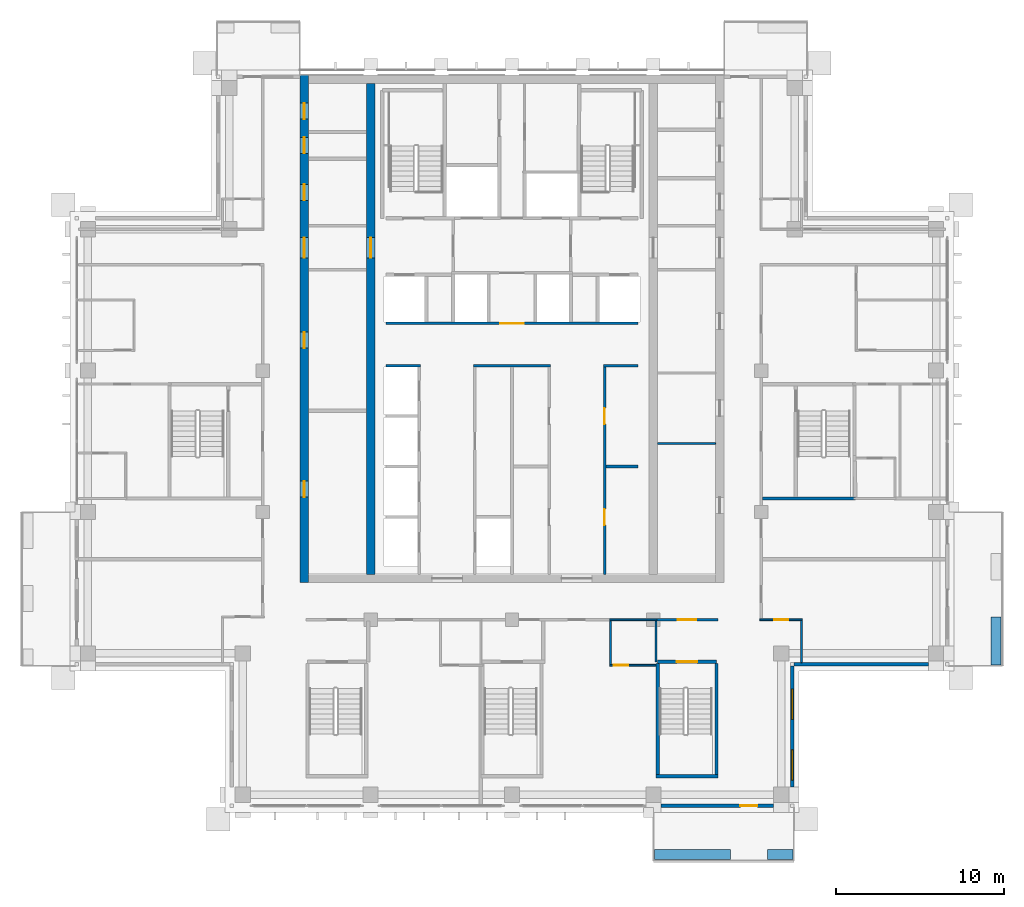
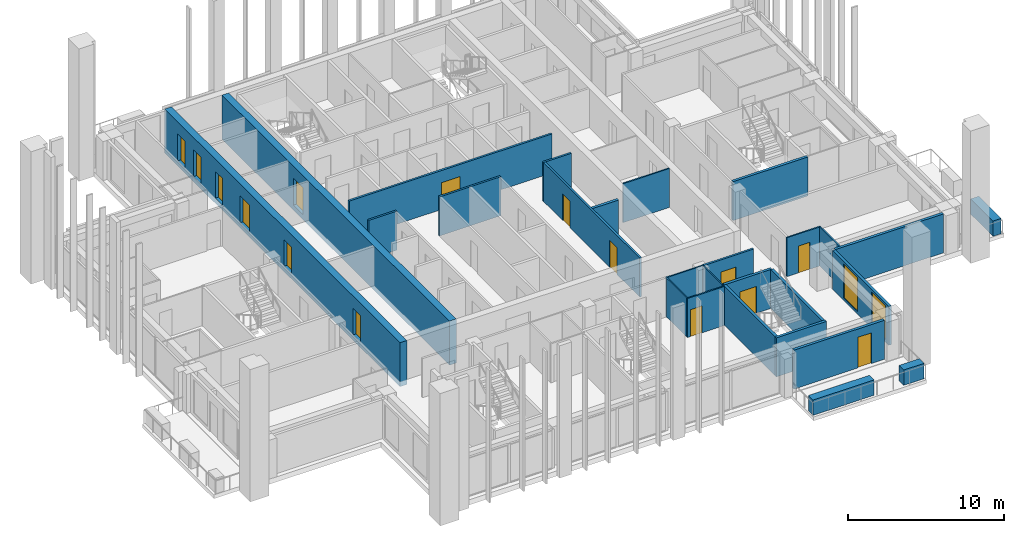
# One storey, part 11 of 20: 27 walls, 15 doors, 2 windows, 17 openings.
"""IFC4 building model written with IfcOpenShell, lengths in metres."""

from ifc_helpers import new_model, si_unit, direction, frame, frame_2d, origin, place, context, subcontext, project, spatial, rectangle, extrude, material, layer, layer_set, type_object, element, fill, save


model = new_model("IFC4")

# Units and contexts
model_context = context("Model", 3, precision=1e-05, world=origin(), true_north=direction((0.0, 1.0)))
body_context = subcontext(model_context, "Body", "Model", "MODEL_VIEW")
ifc_project = project(units=[si_unit("LENGTHUNIT", "METRE"), si_unit("AREAUNIT", "SQUARE_METRE"), si_unit("VOLUMEUNIT", "CUBIC_METRE"), si_unit("PLANEANGLEUNIT", "RADIAN"), si_unit("MASSUNIT", "GRAM", prefix="KILO")], contexts=[model_context])

# Site, building, storey
site_placement = place(None, origin())
site = spatial("IfcSite", under=ifc_project, at=site_placement, CompositionType="ELEMENT")
building_placement = place(site_placement, origin())
building = spatial("IfcBuilding", under=site, at=building_placement, Name="Vermilion Ogive Tower", CompositionType="ELEMENT")
storey_placement = place(building_placement, frame((0.0, 0.0, 223.449951171875)))
storey = spatial("IfcBuildingStorey", under=building, at=storey_placement, Name="L58", CompositionType="ELEMENT", Elevation=223.449951171875)

# Wall, openings, doors
ifc_material_1 = material(Name="Concrete B60", Category="concrete")
ifc_layer_1 = layer(ifc_material_1, 0.5)
ifc_layer_set_1 = layer_set([ifc_layer_1], Name="Core wall 500 B60")
wall_type_1 = type_object("IfcWallType", Name="Core wall 500 B60", PredefinedType="SHEAR", material=ifc_layer_set_1)
wall_1_placement = place(storey_placement, frame((-12.35009765625, -8.39990234375, -0.39990234375), z_axis=(0.0, 0.0, 1.0), x_axis=(0.0, 1.0, 0.0)))
wall_1 = element("IfcWall", 1, at=wall_1_placement, inside=storey, type_object=wall_type_1, Name="L58-CORE-W", PredefinedType="SHEAR", context=body_context, shape_type="SweptSolid", body=[
    extrude(rectangle(XDim=30.14990234375, YDim=0.5, at=frame_2d((15.074951171875, 0.0))), origin(), (0.0, 0.0, 1.0), 3.449951171875),
])
opening_1_placement = place(wall_1_placement, frame((5.0830078125, 0.0, 0.39990234375)))
opening_1 = element("IfcOpeningElement", 2, at=opening_1_placement, cuts=wall_1, Name="Opening DAD100", PredefinedType="OPENING", context=body_context, shape_type="SweptSolid", body=[
    extrude(rectangle(XDim=0.949951171875, YDim=2.10009765625, at=frame_2d((0.47509765625, 1.050048828125))), frame((0.0, 0.260009765625, 0.0), z_axis=(0.0, -1.0, 0.0), x_axis=(1.0, 0.0, 0.0)), (0.0, 0.0, 1.0), 0.52001953125),
])
opening_2_placement = place(wall_1_placement, frame((13.932861328125, 0.0, 0.39990234375)))
opening_2 = element("IfcOpeningElement", 3, at=opening_2_placement, cuts=wall_1, Name="Opening DAD101", PredefinedType="OPENING", context=body_context, shape_type="SweptSolid", body=[
    extrude(rectangle(XDim=0.949951171875, YDim=2.10009765625, at=frame_2d((0.47509765625, 1.050048828125))), frame((0.0, 0.260009765625, 0.0), z_axis=(0.0, -1.0, 0.0), x_axis=(1.0, 0.0, 0.0)), (0.0, 0.0, 1.0), 0.52001953125),
])
opening_3_placement = place(wall_1_placement, frame((22.718994140625, 0.0, 0.39990234375)))
opening_3 = element("IfcOpeningElement", 4, at=opening_3_placement, cuts=wall_1, Name="Opening DAD102", PredefinedType="OPENING", context=body_context, shape_type="SweptSolid", body=[
    extrude(rectangle(XDim=0.949951171875, YDim=2.10009765625, at=frame_2d((0.47509765625, 1.050048828125))), frame((0.0, 0.260009765625, 0.0), z_axis=(0.0, -1.0, 0.0), x_axis=(1.0, 0.0, 0.0)), (0.0, 0.0, 1.0), 0.52001953125),
])
opening_4_placement = place(wall_1_placement, frame((25.505615234375, 0.0, 0.39990234375)))
opening_4 = element("IfcOpeningElement", 5, at=opening_4_placement, cuts=wall_1, Name="Opening DAD103", PredefinedType="OPENING", context=body_context, shape_type="SweptSolid", body=[
    extrude(rectangle(XDim=0.949951171875, YDim=2.10009765625, at=frame_2d((0.47509765625, 1.050048828125))), frame((0.0, 0.260009765625, 0.0), z_axis=(0.0, -1.0, 0.0), x_axis=(1.0, 0.0, 0.0)), (0.0, 0.0, 1.0), 0.52001953125),
])
opening_5_placement = place(wall_1_placement, frame((27.53662109375, 0.0, 0.39990234375)))
opening_5 = element("IfcOpeningElement", 6, at=opening_5_placement, cuts=wall_1, Name="Opening DAD104", PredefinedType="OPENING", context=body_context, shape_type="SweptSolid", body=[
    extrude(rectangle(XDim=0.949951171875, YDim=2.10009765625, at=frame_2d((0.47509765625, 1.050048828125))), frame((0.0, 0.260009765625, 0.0), z_axis=(0.0, -1.0, 0.0), x_axis=(1.0, 0.0, 0.0)), (0.0, 0.0, 1.0), 0.52001953125),
])
opening_6_placement = place(wall_1_placement, frame((19.300048828125, 0.0, 0.39990234375)))
opening_6 = element("IfcOpeningElement", 7, at=opening_6_placement, cuts=wall_1, Name="Opening DAM024", PredefinedType="OPENING", context=body_context, shape_type="SweptSolid", body=[
    extrude(rectangle(XDim=1.199951171875, YDim=2.10009765625, at=frame_2d((0.60009765625, 1.050048828125))), frame((0.0, 0.260009765625, 0.0), z_axis=(0.0, -1.0, 0.0), x_axis=(1.0, 0.0, 0.0)), (0.0, 0.0, 1.0), 0.52001953125),
])
ifc_material_2 = material(Name="Timber door leaf", Category="wood")
door_type_1 = type_object("IfcDoorType", Name="Link door 1200 x 2100 FD60S", OperationType="SINGLE_SWING_LEFT", PredefinedType="DOOR", material=ifc_material_2)
door_1_placement = place(opening_6_placement, origin())
door_1 = element("IfcDoor", 8, at=door_1_placement, inside=storey, type_object=door_type_1, Name="L58-CKW-XL", OperationType="SINGLE_SWING_LEFT", OverallHeight=2.10009765625, OverallWidth=1.199951171875, PredefinedType="DOOR", context=body_context, shape_type="SweptSolid", body=[
    extrude(rectangle(XDim=1.199951171875, YDim=2.10009765625, at=frame_2d((0.60009765625, 1.050048828125))), frame((0.0, 0.02490234375, 0.0), z_axis=(0.0, -1.0, 0.0), x_axis=(1.0, 0.0, 0.0)), (0.0, 0.0, 1.0), 0.050048828125),
])
fill(opening_6, door_1)
ifc_material_3 = material(Name="Timber door leaf", Category="wood")
door_type_2 = type_object("IfcDoorType", Name="Service door 950 x 2100 FD60", OperationType="SINGLE_SWING_LEFT", PredefinedType="DOOR", material=ifc_material_3)
door_2_placement = place(opening_1_placement, origin())
door_2 = element("IfcDoor", 9, at=door_2_placement, inside=storey, type_object=door_type_2, Name="L58-CKW-XR0", OperationType="SINGLE_SWING_LEFT", OverallHeight=2.10009765625, OverallWidth=0.949951171875, PredefinedType="DOOR", context=body_context, shape_type="SweptSolid", body=[
    extrude(rectangle(XDim=0.949951171875, YDim=2.10009765625, at=frame_2d((0.47509765625, 1.050048828125))), frame((0.0, 0.02490234375, 0.0), z_axis=(0.0, -1.0, 0.0), x_axis=(1.0, 0.0, 0.0)), (0.0, 0.0, 1.0), 0.050048828125),
])
fill(opening_1, door_2)
door_3_placement = place(opening_2_placement, origin())
door_3 = element("IfcDoor", 10, at=door_3_placement, inside=storey, type_object=door_type_2, Name="L58-CKW-XR1", OperationType="SINGLE_SWING_LEFT", OverallHeight=2.10009765625, OverallWidth=0.949951171875, PredefinedType="DOOR", context=body_context, shape_type="SweptSolid", body=[
    extrude(rectangle(XDim=0.949951171875, YDim=2.10009765625, at=frame_2d((0.47509765625, 1.050048828125))), frame((0.0, 0.02490234375, 0.0), z_axis=(0.0, -1.0, 0.0), x_axis=(1.0, 0.0, 0.0)), (0.0, 0.0, 1.0), 0.050048828125),
])
fill(opening_2, door_3)
door_4_placement = place(opening_3_placement, origin())
door_4 = element("IfcDoor", 11, at=door_4_placement, inside=storey, type_object=door_type_2, Name="L58-CKW-XR2", OperationType="SINGLE_SWING_LEFT", OverallHeight=2.10009765625, OverallWidth=0.949951171875, PredefinedType="DOOR", context=body_context, shape_type="SweptSolid", body=[
    extrude(rectangle(XDim=0.949951171875, YDim=2.10009765625, at=frame_2d((0.47509765625, 1.050048828125))), frame((0.0, 0.02490234375, 0.0), z_axis=(0.0, -1.0, 0.0), x_axis=(1.0, 0.0, 0.0)), (0.0, 0.0, 1.0), 0.050048828125),
])
fill(opening_3, door_4)
door_5_placement = place(opening_4_placement, origin())
door_5 = element("IfcDoor", 12, at=door_5_placement, inside=storey, type_object=door_type_2, Name="L58-CKW-XR3", OperationType="SINGLE_SWING_LEFT", OverallHeight=2.10009765625, OverallWidth=0.949951171875, PredefinedType="DOOR", context=body_context, shape_type="SweptSolid", body=[
    extrude(rectangle(XDim=0.949951171875, YDim=2.10009765625, at=frame_2d((0.47509765625, 1.050048828125))), frame((0.0, 0.02490234375, 0.0), z_axis=(0.0, -1.0, 0.0), x_axis=(1.0, 0.0, 0.0)), (0.0, 0.0, 1.0), 0.050048828125),
])
fill(opening_4, door_5)
door_6_placement = place(opening_5_placement, origin())
door_6 = element("IfcDoor", 13, at=door_6_placement, inside=storey, type_object=door_type_2, Name="L58-CKW-XR4", OperationType="SINGLE_SWING_LEFT", OverallHeight=2.10009765625, OverallWidth=0.949951171875, PredefinedType="DOOR", context=body_context, shape_type="SweptSolid", body=[
    extrude(rectangle(XDim=0.949951171875, YDim=2.10009765625, at=frame_2d((0.47509765625, 1.050048828125))), frame((0.0, 0.02490234375, 0.0), z_axis=(0.0, -1.0, 0.0), x_axis=(1.0, 0.0, 0.0)), (0.0, 0.0, 1.0), 0.050048828125),
])
fill(opening_5, door_6)

# Wall, opening, door
wall_2_placement = place(storey_placement, frame((-8.39990234375, -7.89990234375, -0.39990234375), z_axis=(0.0, 0.0, 1.0), x_axis=(0.0, 1.0, 0.0)))
wall_2 = element("IfcWall", 14, at=wall_2_placement, inside=storey, type_object=wall_type_1, Name="L58-CORE-WEB1", PredefinedType="SHEAR", context=body_context, shape_type="SweptSolid", body=[
    extrude(rectangle(XDim=29.14990234375, YDim=0.5, at=frame_2d((14.574951171875, 0.0))), origin(), (0.0, 0.0, 1.0), 3.449951171875),
])
opening_7_placement = place(wall_2_placement, frame((18.800048828125, 0.0, 0.39990234375)))
opening_7 = element("IfcOpeningElement", 15, at=opening_7_placement, cuts=wall_2, Name="Opening DAP019", PredefinedType="OPENING", context=body_context, shape_type="SweptSolid", body=[
    extrude(rectangle(XDim=1.199951171875, YDim=2.10009765625, at=frame_2d((0.60009765625, 1.050048828125))), frame((0.0, 0.260009765625, 0.0), z_axis=(0.0, -1.0, 0.0), x_axis=(1.0, 0.0, 0.0)), (0.0, 0.0, 1.0), 0.52001953125),
])
door_7_placement = place(opening_7_placement, origin())
door_7 = element("IfcDoor", 16, at=door_7_placement, inside=storey, type_object=door_type_1, Name="L58-CKW-XW", OperationType="SINGLE_SWING_LEFT", OverallHeight=2.10009765625, OverallWidth=1.199951171875, PredefinedType="DOOR", context=body_context, shape_type="SweptSolid", body=[
    extrude(rectangle(XDim=1.199951171875, YDim=2.10009765625, at=frame_2d((0.60009765625, 1.050048828125))), frame((0.0, 0.02490234375, 0.0), z_axis=(0.0, -1.0, 0.0), x_axis=(1.0, 0.0, 0.0)), (0.0, 0.0, 1.0), 0.050048828125),
])
fill(opening_7, door_7)

ifc_material_4 = material(Name="Gypsum board partition on steel studs", Category="steel")
ifc_layer_2 = layer(ifc_material_4, 0.10009765625)
ifc_layer_set_2 = layer_set([ifc_layer_2], Name="Partition 100 bath")
wall_type_2 = type_object("IfcWallType", Name="Partition 100 bath", PredefinedType="PARTITIONING", material=ifc_layer_set_2)
wall_3_placement = place(storey_placement, frame((5.802001953125, -13.300048828125, 0.0), z_axis=(0.0, 0.0, 1.0), x_axis=(1.0, 0.0, 0.0)))
wall_3 = element("IfcWall", 17, at=wall_3_placement, inside=storey, type_object=wall_type_2, Name="L58-W-W003", PredefinedType="PARTITIONING", context=body_context, shape_type="SweptSolid", body=[
    extrude(rectangle(XDim=2.748046875, YDim=0.10009765625, at=frame_2d((1.3740234375, 0.0))), origin(), (0.0, 0.0, 1.0), 3.050048828125),
])
opening_8_placement = place(wall_3_placement, frame((0.248046875, 0.0, 0.0)))
opening_8 = element("IfcOpeningElement", 18, at=opening_8_placement, cuts=wall_3, Name="Opening D5G1012", PredefinedType="OPENING", context=body_context, shape_type="SweptSolid", body=[
    extrude(rectangle(XDim=0.85009765625, YDim=2.10009765625, at=frame_2d((0.425048828125, 1.050048828125))), frame((0.0, 0.06005859375, 0.0), z_axis=(0.0, -1.0, 0.0), x_axis=(1.0, 0.0, 0.0)), (0.0, 0.0, 1.0), 0.1201171875),
])
ifc_material_5 = material(Name="Timber door leaf", Category="wood")
door_type_3 = type_object("IfcDoorType", Name="Bath door 850 x 2100 FD30", OperationType="SINGLE_SWING_LEFT", PredefinedType="DOOR", material=ifc_material_5)
door_8_placement = place(opening_8_placement, origin())
door_8 = element("IfcDoor", 19, at=door_8_placement, inside=storey, type_object=door_type_3, Name="L58-D-D012", OperationType="SINGLE_SWING_LEFT", OverallHeight=2.10009765625, OverallWidth=0.85009765625, PredefinedType="DOOR", context=body_context, shape_type="SweptSolid", body=[
    extrude(rectangle(XDim=0.85009765625, YDim=2.10009765625, at=frame_2d((0.425048828125, 1.050048828125))), frame((0.0, 0.02490234375, 0.0), z_axis=(0.0, -1.0, 0.0), x_axis=(1.0, 0.0, 0.0)), (0.0, 0.0, 1.0), 0.050048828125),
])
fill(opening_8, door_8)

# Wall
wall_4_placement = place(storey_placement, frame((5.800048828125, -10.60009765625, 0.0), z_axis=(0.0, 0.0, 1.0), x_axis=(1.0, 0.0, 0.0)))
element("IfcWall", 20, at=wall_4_placement, inside=storey, type_object=wall_type_2, Name="L58-W-W010", PredefinedType="PARTITIONING", context=body_context, shape_type="SweptSolid", body=[
    extrude(rectangle(XDim=2.800048828125, YDim=0.10009765625, at=frame_2d((1.39990234375, 0.0))), origin(), (0.0, 0.0, 1.0), 3.050048828125),
])

# Wall, opening, door
wall_5_placement = place(storey_placement, frame((14.72509765625, -10.60009765625, 0.0), z_axis=(0.0, 0.0, 1.0), x_axis=(1.0, 0.0, 0.0)))
wall_5 = element("IfcWall", 21, at=wall_5_placement, inside=storey, type_object=wall_type_2, Name="L58-W-W012", PredefinedType="PARTITIONING", context=body_context, shape_type="SweptSolid", body=[
    extrude(rectangle(XDim=2.52490234375, YDim=0.10009765625, at=frame_2d((1.262451171875, 0.0))), origin(), (0.0, 0.0, 1.0), 3.050048828125),
])
opening_9_placement = place(wall_5_placement, frame((0.849853515625, 0.0, 0.0)))
opening_9 = element("IfcOpeningElement", 22, at=opening_9_placement, cuts=wall_5, Name="Opening D5G1014", PredefinedType="OPENING", context=body_context, shape_type="SweptSolid", body=[
    extrude(rectangle(XDim=0.85009765625, YDim=2.10009765625, at=frame_2d((0.425048828125, 1.050048828125))), frame((0.0, 0.06005859375, 0.0), z_axis=(0.0, -1.0, 0.0), x_axis=(1.0, 0.0, 0.0)), (0.0, 0.0, 1.0), 0.1201171875),
])
door_9_placement = place(opening_9_placement, origin())
door_9 = element("IfcDoor", 23, at=door_9_placement, inside=storey, type_object=door_type_3, Name="L58-D-D014", OperationType="SINGLE_SWING_RIGHT", OverallHeight=2.10009765625, OverallWidth=0.85009765625, PredefinedType="DOOR", context=body_context, shape_type="SweptSolid", body=[
    extrude(rectangle(XDim=0.85009765625, YDim=2.10009765625, at=frame_2d((0.425048828125, 1.050048828125))), frame((0.0, 0.02490234375, 0.0), z_axis=(0.0, -1.0, 0.0), x_axis=(1.0, 0.0, 0.0)), (0.0, 0.0, 1.0), 0.050048828125),
])
fill(opening_9, door_9)

# Walls
wall_6_placement = place(storey_placement, frame((5.85009765625, -13.248046875, 0.0), z_axis=(0.0, 0.0, 1.0), x_axis=(0.0, 1.0, 0.0)))
element("IfcWall", 24, at=wall_6_placement, inside=storey, type_object=wall_type_2, Name="L58-W-W055", PredefinedType="PARTITIONING", context=body_context, shape_type="SweptSolid", body=[
    extrude(rectangle(XDim=2.572998046875, YDim=0.10009765625, at=frame_2d((1.28662109375, 0.0))), origin(), (0.0, 0.0, 1.0), 3.050048828125),
])
wall_7_placement = place(storey_placement, frame((8.550048828125, -13.10009765625, 0.0), z_axis=(0.0, 0.0, 1.0), x_axis=(0.0, 1.0, 0.0)))
element("IfcWall", 25, at=wall_7_placement, inside=storey, type_object=wall_type_2, Name="L58-W-W056", PredefinedType="PARTITIONING", context=body_context, shape_type="SweptSolid", body=[
    extrude(rectangle(XDim=2.425048828125, YDim=0.10009765625, at=frame_2d((1.21240234375, 0.0))), origin(), (0.0, 0.0, 1.0), 3.050048828125),
])
wall_8_placement = place(storey_placement, frame((17.199951171875, -13.14990234375, 0.0), z_axis=(0.0, 0.0, 1.0), x_axis=(0.0, 1.0, 0.0)))
element("IfcWall", 26, at=wall_8_placement, inside=storey, type_object=wall_type_2, Name="L58-W-W061", PredefinedType="PARTITIONING", context=body_context, shape_type="SweptSolid", body=[
    extrude(rectangle(XDim=2.5, YDim=0.10009765625, at=frame_2d((1.25, 0.0))), origin(), (0.0, 0.0, 1.0), 3.050048828125),
])
wall_9_placement = place(storey_placement, frame((8.65087890625, -0.125, 0.0), z_axis=(0.0, 0.0, 1.0), x_axis=(1.0, 0.0, 0.0)))
element("IfcWall", 27, at=wall_9_placement, inside=storey, type_object=wall_type_2, Name="L58-CKE-W-W001", PredefinedType="PARTITIONING", context=body_context, shape_type="SweptSolid", body=[
    extrude(rectangle(XDim=3.4482421875, YDim=0.10009765625, at=frame_2d((1.72412109375, 0.0))), origin(), (0.0, 0.0, 1.0), 3.050048828125),
])

# Wall, opening, door
ifc_material_6 = material(Name="Gypsum board partition on steel studs", Category="steel")
ifc_layer_3 = layer(ifc_material_6, 0.14990234375)
ifc_layer_set_3 = layer_set([ifc_layer_3], Name="Partition 150 corridor")
wall_type_3 = type_object("IfcWallType", Name="Partition 150 corridor", PredefinedType="PARTITIONING", material=ifc_layer_set_3)
wall_10_placement = place(storey_placement, frame((8.5, -10.60009765625, 0.0), z_axis=(0.0, 0.0, 1.0), x_axis=(1.0, 0.0, 0.0)))
wall_10 = element("IfcWall", 28, at=wall_10_placement, inside=storey, type_object=wall_type_3, Name="L58-W-W011", PredefinedType="PARTITIONING", context=body_context, shape_type="SweptSolid", body=[
    extrude(rectangle(XDim=3.75, YDim=0.14990234375, at=frame_2d((1.875, 0.0))), origin(), (0.0, 0.0, 1.0), 3.050048828125),
])
opening_10_placement = place(wall_10_placement, frame((1.35009765625, 0.0, 0.0)))
opening_10 = element("IfcOpeningElement", 29, at=opening_10_placement, cuts=wall_10, Name="Opening D5G1027", PredefinedType="OPENING", context=body_context, shape_type="SweptSolid", body=[
    extrude(rectangle(XDim=1.10009765625, YDim=2.10009765625, at=frame_2d((0.550048828125, 1.050048828125))), frame((0.0, 0.0849609375, 0.0), z_axis=(0.0, -1.0, 0.0), x_axis=(1.0, 0.0, 0.0)), (0.0, 0.0, 1.0), 0.169921875),
])
ifc_material_7 = material(Name="Timber door leaf", Category="wood")
door_type_4 = type_object("IfcDoorType", Name="Stair door 1100 x 2100 FD60S", OperationType="SINGLE_SWING_LEFT", PredefinedType="DOOR", material=ifc_material_7)
door_10_placement = place(opening_10_placement, origin())
door_10 = element("IfcDoor", 30, at=door_10_placement, inside=storey, type_object=door_type_4, Name="L58-D-D027", OperationType="SINGLE_SWING_RIGHT", OverallHeight=2.10009765625, OverallWidth=1.10009765625, PredefinedType="DOOR", context=body_context, shape_type="SweptSolid", body=[
    extrude(rectangle(XDim=1.10009765625, YDim=2.10009765625, at=frame_2d((0.550048828125, 1.050048828125))), frame((0.0, 0.02490234375, 0.0), z_axis=(0.0, -1.0, 0.0), x_axis=(1.0, 0.0, 0.0)), (0.0, 0.0, 1.0), 0.050048828125),
])
fill(opening_10, door_10)

# Walls
wall_11_placement = place(storey_placement, frame((-7.5, 4.5, 0.0), z_axis=(0.0, 0.0, 1.0), x_axis=(1.0, 0.0, 0.0)))
element("IfcWall", 31, at=wall_11_placement, inside=storey, type_object=wall_type_3, Name="L58-CK-W-W007", PredefinedType="PARTITIONING", context=body_context, shape_type="SweptSolid", body=[
    extrude(rectangle(XDim=2.074951171875, YDim=0.14990234375, at=frame_2d((1.03759765625, 0.0))), origin(), (0.0, 0.0, 1.0), 3.050048828125),
])
wall_12_placement = place(storey_placement, frame((-2.27490234375, 4.5, 0.0), z_axis=(0.0, 0.0, 1.0), x_axis=(1.0, 0.0, 0.0)))
element("IfcWall", 32, at=wall_12_placement, inside=storey, type_object=wall_type_3, Name="L58-CK-W-W008", PredefinedType="PARTITIONING", context=body_context, shape_type="SweptSolid", body=[
    extrude(rectangle(XDim=4.5498046875, YDim=0.14990234375, at=frame_2d((2.27490234375, 0.0))), origin(), (0.0, 0.0, 1.0), 3.050048828125),
])
wall_13_placement = place(storey_placement, frame((5.425048828125, 4.5, 0.0), z_axis=(0.0, 0.0, 1.0), x_axis=(1.0, 0.0, 0.0)))
element("IfcWall", 33, at=wall_13_placement, inside=storey, type_object=wall_type_3, Name="L58-CK-W-W009", PredefinedType="PARTITIONING", context=body_context, shape_type="SweptSolid", body=[
    extrude(rectangle(XDim=2.074951171875, YDim=0.14990234375, at=frame_2d((1.03759765625, 0.0))), origin(), (0.0, 0.0, 1.0), 3.050048828125),
])

# Wall, opening, door
wall_14_placement = place(storey_placement, frame((-7.5, 7.0, 0.0), z_axis=(0.0, 0.0, 1.0), x_axis=(1.0, 0.0, 0.0)))
wall_14 = element("IfcWall", 34, at=wall_14_placement, inside=storey, type_object=wall_type_3, Name="L58-CK-W-W010", PredefinedType="PARTITIONING", context=body_context, shape_type="SweptSolid", body=[
    extrude(rectangle(XDim=15.0, YDim=0.14990234375, at=frame_2d((7.5, 0.0))), origin(), (0.0, 0.0, 1.0), 3.050048828125),
])
opening_11_placement = place(wall_14_placement, frame((6.800048828125, 0.0, 0.0)))
opening_11 = element("IfcOpeningElement", 35, at=opening_11_placement, cuts=wall_14, Name="Opening DAA540", PredefinedType="OPENING", context=body_context, shape_type="SweptSolid", body=[
    extrude(rectangle(XDim=1.39990234375, YDim=2.10009765625, at=frame_2d((0.699951171875, 1.050048828125))), frame((0.0, 0.0849609375, 0.0), z_axis=(0.0, -1.0, 0.0), x_axis=(1.0, 0.0, 0.0)), (0.0, 0.0, 1.0), 0.169921875),
])
ifc_material_8 = material(Name="Timber door leaf", Category="wood")
door_type_5 = type_object("IfcDoorType", Name="Lobby door 1400 x 2100 FD60S", OperationType="SINGLE_SWING_LEFT", PredefinedType="DOOR", material=ifc_material_8)
door_11_placement = place(opening_11_placement, origin())
door_11 = element("IfcDoor", 36, at=door_11_placement, inside=storey, type_object=door_type_5, Name="L58-CK-D-D015", OperationType="SINGLE_SWING_RIGHT", OverallHeight=2.10009765625, OverallWidth=1.39990234375, PredefinedType="DOOR", context=body_context, shape_type="SweptSolid", body=[
    extrude(rectangle(XDim=1.39990234375, YDim=2.10009765625, at=frame_2d((0.699951171875, 1.050048828125))), frame((0.0, 0.02490234375, 0.0), z_axis=(0.0, -1.0, 0.0), x_axis=(1.0, 0.0, 0.0)), (0.0, 0.0, 1.0), 0.050048828125),
])
fill(opening_11, door_11)

# Wall, openings, doors
wall_15_placement = place(storey_placement, frame((5.5, -7.89892578125, 0.0), z_axis=(0.0, 0.0, 1.0), x_axis=(0.0, 1.0, 0.0)))
wall_15 = element("IfcWall", 37, at=wall_15_placement, inside=storey, type_object=wall_type_3, Name="L58-CK-W-W037", PredefinedType="PARTITIONING", context=body_context, shape_type="SweptSolid", body=[
    extrude(rectangle(XDim=12.323974609375, YDim=0.14990234375, at=frame_2d((6.162109375, 0.0))), origin(), (0.0, 0.0, 1.0), 3.050048828125),
])
opening_12_placement = place(wall_15_placement, frame((2.923828125, 0.0, 0.0)))
opening_12 = element("IfcOpeningElement", 38, at=opening_12_placement, cuts=wall_15, Name="Opening DAA546", PredefinedType="OPENING", context=body_context, shape_type="SweptSolid", body=[
    extrude(rectangle(XDim=0.949951171875, YDim=2.10009765625, at=frame_2d((0.47509765625, 1.050048828125))), frame((0.0, 0.0849609375, 0.0), z_axis=(0.0, -1.0, 0.0), x_axis=(1.0, 0.0, 0.0)), (0.0, 0.0, 1.0), 0.169921875),
])
opening_13_placement = place(wall_15_placement, frame((8.923828125, 0.0, 0.0)))
opening_13 = element("IfcOpeningElement", 39, at=opening_13_placement, cuts=wall_15, Name="Opening DAA547", PredefinedType="OPENING", context=body_context, shape_type="SweptSolid", body=[
    extrude(rectangle(XDim=0.949951171875, YDim=2.10009765625, at=frame_2d((0.47509765625, 1.050048828125))), frame((0.0, 0.0849609375, 0.0), z_axis=(0.0, -1.0, 0.0), x_axis=(1.0, 0.0, 0.0)), (0.0, 0.0, 1.0), 0.169921875),
])
door_12_placement = place(opening_12_placement, origin())
door_12 = element("IfcDoor", 40, at=door_12_placement, inside=storey, type_object=door_type_2, Name="L58-CK-D-D009", OperationType="SINGLE_SWING_LEFT", OverallHeight=2.10009765625, OverallWidth=0.949951171875, PredefinedType="DOOR", context=body_context, shape_type="SweptSolid", body=[
    extrude(rectangle(XDim=0.949951171875, YDim=2.10009765625, at=frame_2d((0.47509765625, 1.050048828125))), frame((0.0, 0.02490234375, 0.0), z_axis=(0.0, -1.0, 0.0), x_axis=(1.0, 0.0, 0.0)), (0.0, 0.0, 1.0), 0.050048828125),
])
fill(opening_12, door_12)
door_13_placement = place(opening_13_placement, origin())
door_13 = element("IfcDoor", 41, at=door_13_placement, inside=storey, type_object=door_type_2, Name="L58-CK-D-D010", OperationType="SINGLE_SWING_LEFT", OverallHeight=2.10009765625, OverallWidth=0.949951171875, PredefinedType="DOOR", context=body_context, shape_type="SweptSolid", body=[
    extrude(rectangle(XDim=0.949951171875, YDim=2.10009765625, at=frame_2d((0.47509765625, 1.050048828125))), frame((0.0, 0.02490234375, 0.0), z_axis=(0.0, -1.0, 0.0), x_axis=(1.0, 0.0, 0.0)), (0.0, 0.0, 1.0), 0.050048828125),
])
fill(opening_13, door_13)

# Wall
ifc_material_9 = material(Name="Gypsum board partition on steel studs", Category="steel")
ifc_layer_4 = layer(ifc_material_9, 0.199951171875)
ifc_layer_set_4 = layer_set([ifc_layer_4], Name="Partition 200 party")
wall_type_4 = type_object("IfcWallType", Name="Partition 200 party", PredefinedType="PARTITIONING", material=ifc_layer_set_4)
wall_16_placement = place(storey_placement, frame((5.574951171875, -1.5, 0.0), z_axis=(0.0, 0.0, 1.0), x_axis=(1.0, 0.0, 0.0)))
element("IfcWall", 42, at=wall_16_placement, inside=storey, type_object=wall_type_4, Name="L58-CK-W-W005", PredefinedType="PARTITIONING", context=body_context, shape_type="SweptSolid", body=[
    extrude(rectangle(XDim=1.925048828125, YDim=0.199951171875, at=frame_2d((0.96240234375, 0.0))), origin(), (0.0, 0.0, 1.0), 3.050048828125),
])

# Wall, opening, door
ifc_material_10 = material(Name="Concrete B60", Category="concrete")
ifc_layer_5 = layer(ifc_material_10, 0.199951171875)
ifc_layer_set_5 = layer_set([ifc_layer_5], Name="Stair shaft wall 200 Concrete B60")
wall_type_5 = type_object("IfcWallType", Name="Stair shaft wall 200 Concrete B60", PredefinedType="SOLIDWALL", material=ifc_layer_set_5)
wall_17_placement = place(storey_placement, frame((8.64990234375, -13.10009765625, 0.0), z_axis=(0.0, 0.0, 1.0), x_axis=(1.0, 0.0, 0.0)))
wall_17 = element("IfcWall", 43, at=wall_17_placement, inside=storey, type_object=wall_type_5, Name="L58-W-W006", PredefinedType="SOLIDWALL", context=body_context, shape_type="SweptSolid", body=[
    extrude(rectangle(XDim=3.5, YDim=0.199951171875, at=frame_2d((1.75, 0.0))), origin(), (0.0, 0.0, 1.0), 3.050048828125),
])
opening_14_placement = place(wall_17_placement, frame((1.150146484375, 0.0, 0.0)))
opening_14 = element("IfcOpeningElement", 44, at=opening_14_placement, cuts=wall_17, Name="Opening D5G1028", PredefinedType="OPENING", context=body_context, shape_type="SweptSolid", body=[
    extrude(rectangle(XDim=1.199951171875, YDim=2.10009765625, at=frame_2d((0.60009765625, 1.050048828125))), frame((0.0, 0.10986328125, 0.0), z_axis=(0.0, -1.0, 0.0), x_axis=(1.0, 0.0, 0.0)), (0.0, 0.0, 1.0), 0.219970703125),
])
ifc_material_11 = material(Name="Timber door leaf", Category="wood")
door_type_6 = type_object("IfcDoorType", Name="Stair door 1200 x 2100 FD60S", OperationType="SINGLE_SWING_LEFT", PredefinedType="DOOR", material=ifc_material_11)
door_14_placement = place(opening_14_placement, origin())
door_14 = element("IfcDoor", 45, at=door_14_placement, inside=storey, type_object=door_type_6, Name="L58-D-D028", OperationType="SINGLE_SWING_RIGHT", OverallHeight=2.10009765625, OverallWidth=1.199951171875, PredefinedType="DOOR", context=body_context, shape_type="SweptSolid", body=[
    extrude(rectangle(XDim=1.199951171875, YDim=2.10009765625, at=frame_2d((0.60009765625, 1.050048828125))), frame((0.0, 0.02490234375, 0.0), z_axis=(0.0, -1.0, 0.0), x_axis=(1.0, 0.0, 0.0)), (0.0, 0.0, 1.0), 0.050048828125),
])
fill(opening_14, door_14)

# Walls
wall_18_placement = place(storey_placement, frame((14.875, -3.39990234375, 0.0), z_axis=(0.0, 0.0, 1.0), x_axis=(1.0, 0.0, 0.0)))
element("IfcWall", 46, at=wall_18_placement, inside=storey, type_object=wall_type_5, Name="L58-W-W018", PredefinedType="SOLIDWALL", context=body_context, shape_type="SweptSolid", body=[
    extrude(rectangle(XDim=5.52490234375, YDim=0.199951171875, at=frame_2d((2.762451171875, 0.0))), origin(), (0.0, 0.0, 1.0), 3.050048828125),
])
wall_19_placement = place(storey_placement, frame((8.550048828125, -19.89990234375, 0.0), z_axis=(0.0, 0.0, 1.0), x_axis=(1.0, 0.0, 0.0)))
element("IfcWall", 47, at=wall_19_placement, inside=storey, type_object=wall_type_5, Name="L58-SW-ST5-S1", PredefinedType="SOLIDWALL", context=body_context, shape_type="SweptSolid", body=[
    extrude(rectangle(XDim=3.699951171875, YDim=0.199951171875, at=frame_2d((1.85009765625, 0.0))), origin(), (0.0, 0.0, 1.0), 3.050048828125),
])
for number, where, z_axis, x_axis, name in (
    (48, (8.64990234375, -19.800048828125, 0.0), (0.0, 0.0, 1.0), (0.0, 1.0, 0.0), "L58-SW-ST5-W1"),
    (49, (12.14990234375, -19.800048828125, 0.0), (0.0, 0.0, 1.0), (0.0, 1.0, 0.0), "L58-SW-ST5-E1"),
):
    element("IfcWall", number, at=place(storey_placement, frame(where, z_axis=z_axis, x_axis=x_axis)), inside=storey, type_object=wall_type_5, Name=name, PredefinedType="SOLIDWALL", context=body_context, shape_type="SweptSolid", body=[
        extrude(rectangle(XDim=6.60009765625, YDim=0.199951171875, at=frame_2d((3.300048828125, 0.0))), origin(), (0.0, 0.0, 1.0), 3.050048828125),
    ])
ifc_material_12 = material(Name="Concrete B40", Category="concrete")
ifc_layer_6 = layer(ifc_material_12, 0.60009765625)
ifc_layer_set_6 = layer_set([ifc_layer_6], Name="Structural planter")
wall_type_6 = type_object("IfcWallType", Name="Structural planter", PredefinedType="USERDEFINED", material=ifc_layer_set_6)
wall_20_placement = place(storey_placement, frame((8.4599609375, -24.550048828125, -0.0400390625), z_axis=(0.0, 0.0, 1.0), x_axis=(1.0, 0.0, 0.0)))
element("IfcWall", 50, at=wall_20_placement, inside=storey, type_object=wall_type_6, Name="Planter S04A1", ObjectType="PLANTER", PredefinedType="USERDEFINED", context=body_context, shape_type="SweptSolid", body=[
    extrude(rectangle(XDim=4.51513671875, YDim=0.60009765625, at=frame_2d((2.257568359375, 0.0))), origin(), (0.0, 0.0, 1.0), 1.2001953125),
])
wall_21_placement = place(storey_placement, frame((15.175048828125, -24.550048828125, -0.0400390625), z_axis=(0.0, 0.0, 1.0), x_axis=(1.0, 0.0, 0.0)))
element("IfcWall", 51, at=wall_21_placement, inside=storey, type_object=wall_type_6, Name="Planter S04A2", ObjectType="PLANTER", PredefinedType="USERDEFINED", context=body_context, shape_type="SweptSolid", body=[
    extrude(rectangle(XDim=1.514892578125, YDim=0.60009765625, at=frame_2d((0.75732421875, 0.0))), origin(), (0.0, 0.0, 1.0), 1.2001953125),
])
wall_22_placement = place(storey_placement, frame((28.75, -13.2900390625, -0.0400390625), z_axis=(0.0, 0.0, 1.0), x_axis=(0.0, 1.0, 0.0)))
element("IfcWall", 52, at=wall_22_placement, inside=storey, type_object=wall_type_6, Name="Planter E01A1", ObjectType="PLANTER", PredefinedType="USERDEFINED", context=body_context, shape_type="SweptSolid", body=[
    extrude(rectangle(XDim=2.864990234375, YDim=0.60009765625, at=frame_2d((1.4326171875, 0.0))), origin(), (0.0, 0.0, 1.0), 1.2001953125),
])

# Wall, opening, door
ifc_material_13 = material(Name="Aluminium window wall framing", Category="aluminium")
ifc_layer_7 = layer(ifc_material_13, 0.199951171875)
ifc_layer_set_7 = layer_set([ifc_layer_7], Name="Window wall")
wall_type_7 = type_object("IfcWallType", Name="Window wall", PredefinedType="STANDARD", material=ifc_layer_set_7)
wall_23_placement = place(storey_placement, frame((8.85009765625, -21.64990234375, 0.0), z_axis=(0.0, 0.0, 1.0), x_axis=(1.0, 0.0, 0.0)))
wall_23 = element("IfcWall", 53, at=wall_23_placement, inside=storey, type_object=wall_type_7, Name="Window wall S4", PredefinedType="STANDARD", context=body_context, shape_type="SweptSolid", body=[
    extrude(rectangle(XDim=6.699951171875, YDim=0.199951171875, at=frame_2d((3.35009765625, 0.0))), origin(), (0.0, 0.0, 1.0), 3.050048828125),
])
opening_15_placement = place(wall_23_placement, frame((4.72509765625, 0.0, 0.0)))
opening_15 = element("IfcOpeningElement", 54, at=opening_15_placement, cuts=wall_23, Name="Opening D1-S03K", PredefinedType="OPENING", context=body_context, shape_type="SweptSolid", body=[
    extrude(rectangle(XDim=1.0, YDim=2.39990234375, at=frame_2d((0.5, 1.199951171875))), frame((0.0, 0.10986328125, 0.0), z_axis=(0.0, -1.0, 0.0), x_axis=(1.0, 0.0, 0.0)), (0.0, 0.0, 1.0), 0.219970703125),
])
ifc_material_14 = material(Name="Aluminium framed glazed door", Category="aluminium")
door_type_7 = type_object("IfcDoorType", Name="Balcony door D1", OperationType="SINGLE_SWING_LEFT", PredefinedType="DOOR", material=ifc_material_14)
door_15_placement = place(opening_15_placement, origin())
door_15 = element("IfcDoor", 55, at=door_15_placement, inside=storey, type_object=door_type_7, Name="Balcony door S03K", OperationType="SINGLE_SWING_LEFT", OverallHeight=2.39990234375, OverallWidth=1.0, PredefinedType="DOOR", context=body_context, shape_type="SweptSolid", body=[
    extrude(rectangle(XDim=1.0, YDim=2.39990234375, at=frame_2d((0.5, 1.199951171875))), frame((0.0, 0.02490234375, 0.0), z_axis=(0.0, -1.0, 0.0), x_axis=(1.0, 0.0, 0.0)), (0.0, 0.0, 1.0), 0.050048828125),
])
fill(opening_15, door_15)

# Wall, openings, windows
wall_24_placement = place(storey_placement, frame((16.64990234375, -20.550048828125, 0.0), z_axis=(0.0, 0.0, 1.0), x_axis=(0.0, 1.0, 0.0)))
wall_24 = element("IfcWall", 56, at=wall_24_placement, inside=storey, type_object=wall_type_7, Name="Window wall X11", PredefinedType="STANDARD", context=body_context, shape_type="SweptSolid", body=[
    extrude(rectangle(XDim=7.199951171875, YDim=0.199951171875, at=frame_2d((3.60009765625, 0.0))), origin(), (0.0, 0.0, 1.0), 3.050048828125),
])
opening_16_placement = place(wall_24_placement, frame((0.425048828125, 0.0, 0.199951171875)))
opening_16 = element("IfcOpeningElement", 57, at=opening_16_placement, cuts=wall_24, Name="Opening W1-X195", PredefinedType="OPENING", context=body_context, shape_type="SweptSolid", body=[
    extrude(rectangle(XDim=1.800048828125, YDim=2.64990234375, at=frame_2d((0.89990234375, 1.324951171875))), frame((0.0, 0.10986328125, 0.0), z_axis=(0.0, -1.0, 0.0), x_axis=(1.0, 0.0, 0.0)), (0.0, 0.0, 1.0), 0.219970703125),
])
opening_17_placement = place(wall_24_placement, frame((4.02490234375, 0.0, 0.199951171875)))
opening_17 = element("IfcOpeningElement", 58, at=opening_17_placement, cuts=wall_24, Name="Opening W1-X196", PredefinedType="OPENING", context=body_context, shape_type="SweptSolid", body=[
    extrude(rectangle(XDim=1.800048828125, YDim=2.64990234375, at=frame_2d((0.89990234375, 1.324951171875))), frame((0.0, 0.10986328125, 0.0), z_axis=(0.0, -1.0, 0.0), x_axis=(1.0, 0.0, 0.0)), (0.0, 0.0, 1.0), 0.219970703125),
])
ifc_material_15 = material(Name="Aluminium framed double glazing", Category="aluminium")
window_type = type_object("IfcWindowType", Name="Guest window W1", PartitioningType="SINGLE_PANEL", PredefinedType="WINDOW", material=ifc_material_15)
window_1_placement = place(opening_16_placement, origin())
window_1 = element("IfcWindow", 59, at=window_1_placement, inside=storey, type_object=window_type, Name="Window X195", OverallHeight=2.64990234375, OverallWidth=1.800048828125, PartitioningType="SINGLE_PANEL", PredefinedType="WINDOW", context=body_context, shape_type="SweptSolid", body=[
    extrude(rectangle(XDim=1.800048828125, YDim=2.64990234375, at=frame_2d((0.89990234375, 1.324951171875))), frame((0.0, 0.030029296875, 0.0), z_axis=(0.0, -1.0, 0.0), x_axis=(1.0, 0.0, 0.0)), (0.0, 0.0, 1.0), 0.06005859375),
])
fill(opening_16, window_1)
window_2_placement = place(opening_17_placement, origin())
window_2 = element("IfcWindow", 60, at=window_2_placement, inside=storey, type_object=window_type, Name="Window X196", OverallHeight=2.64990234375, OverallWidth=1.800048828125, PartitioningType="SINGLE_PANEL", PredefinedType="WINDOW", context=body_context, shape_type="SweptSolid", body=[
    extrude(rectangle(XDim=1.800048828125, YDim=2.64990234375, at=frame_2d((0.89990234375, 1.324951171875))), frame((0.0, 0.030029296875, 0.0), z_axis=(0.0, -1.0, 0.0), x_axis=(1.0, 0.0, 0.0)), (0.0, 0.0, 1.0), 0.06005859375),
])
fill(opening_17, window_2)

# Wall
wall_25_placement = place(storey_placement, frame((16.75, -13.25, 0.0), z_axis=(0.0, 0.0, 1.0), x_axis=(1.0, 0.0, 0.0)))
element("IfcWall", 61, at=wall_25_placement, inside=storey, type_object=wall_type_7, Name="Window wall X21", PredefinedType="STANDARD", context=body_context, shape_type="SweptSolid", body=[
    extrude(rectangle(XDim=8.0, YDim=0.199951171875, at=frame_2d((4.0, 0.0))), origin(), (0.0, 0.0, 1.0), 3.050048828125),
])

save(model, "model.ifc")
